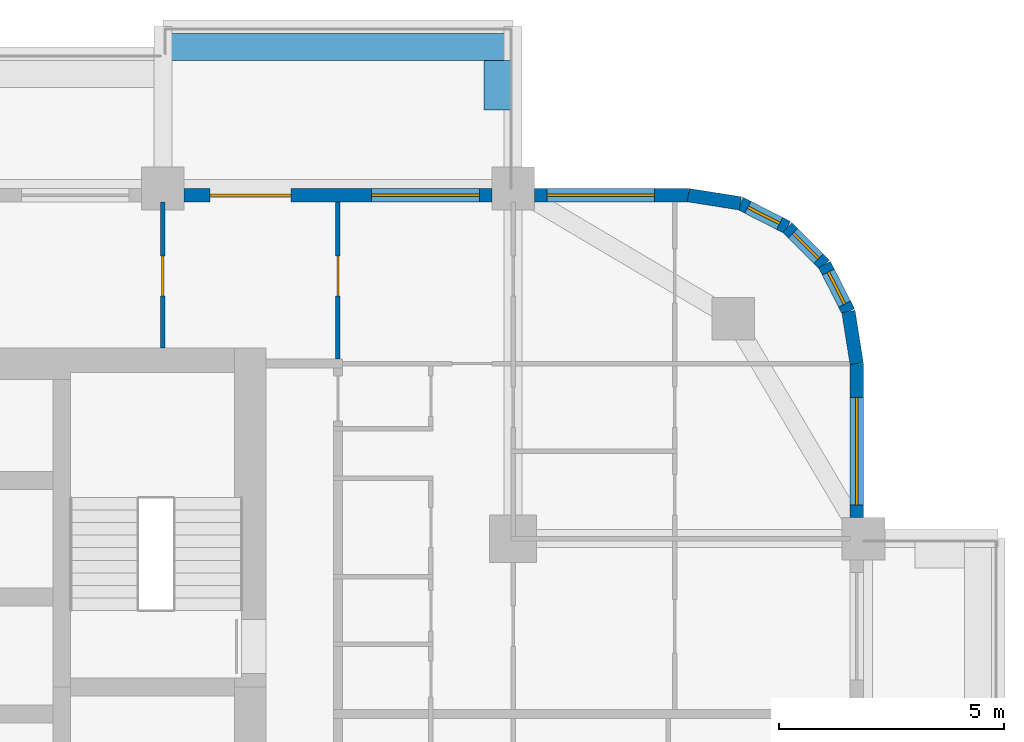
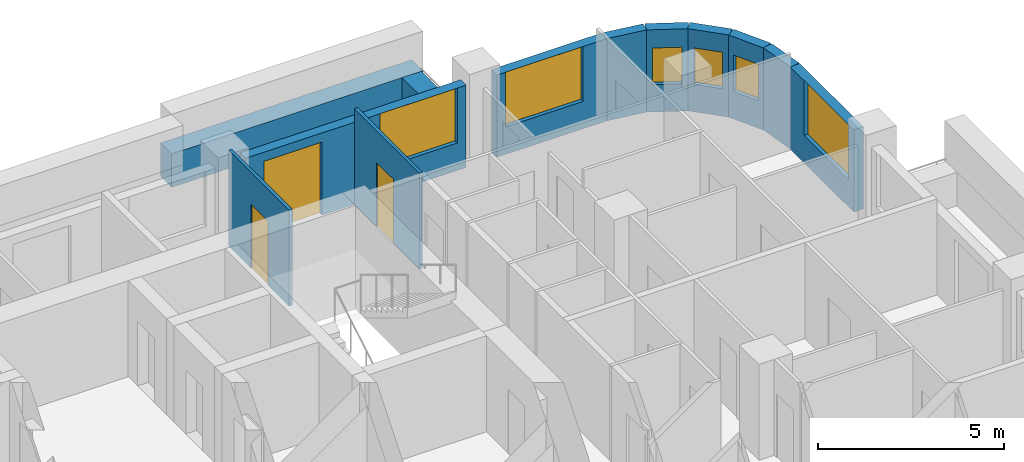
# One storey, part 14 of 18: 12 walls, 6 windows, 3 doors, 9 openings.
"""IFC4 building model written with IfcOpenShell, lengths in metres."""

from ifc_helpers import new_model, si_unit, direction, frame, frame_2d, origin, place, context, subcontext, project, spatial, rectangle, extrude, material, layer, layer_set, type_object, element, fill, save


model = new_model("IFC4")

# Units and contexts
model_context = context("Model", 3, precision=1e-05, world=origin(), true_north=direction((0.0, 1.0)))
body_context = subcontext(model_context, "Body", "Model", "MODEL_VIEW")
ifc_project = project(units=[si_unit("LENGTHUNIT", "METRE"), si_unit("AREAUNIT", "SQUARE_METRE"), si_unit("VOLUMEUNIT", "CUBIC_METRE"), si_unit("PLANEANGLEUNIT", "RADIAN"), si_unit("MASSUNIT", "GRAM", prefix="KILO")], contexts=[model_context])

# Site, building, storey
site_placement = place(None, origin())
site = spatial("IfcSite", under=ifc_project, at=site_placement, CompositionType="ELEMENT")
building_placement = place(site_placement, origin())
building = spatial("IfcBuilding", under=site, at=building_placement, Name="Ludao Terraces", CompositionType="ELEMENT")
storey_placement = place(building_placement, frame((0.0, 0.0, 78.39990234375)))
storey = spatial("IfcBuildingStorey", under=building, at=storey_placement, Name="L21", CompositionType="ELEMENT", Elevation=78.39990234375)

# Walls
ifc_material_1 = material(Name="Concrete C40", Category="concrete")
ifc_layer_1 = layer(ifc_material_1, 0.60009765625)
ifc_layer_set_1 = layer_set([ifc_layer_1], Name="ENV Planter trough 600")
wall_type_1 = type_object("IfcWallType", Name="ENV Planter trough 600", PredefinedType="USERDEFINED", material=ifc_layer_set_1)
wall_1_placement = place(storey_placement, frame((92.800048828125, 91.550048828125, 0.0), z_axis=(0.0, 0.0, 1.0), x_axis=(1.0, 0.0, 0.0)))
element("IfcWall", 1, at=wall_1_placement, inside=storey, type_object=wall_type_1, Name="PL-L21-N4", ObjectType="PLANTER", PredefinedType="USERDEFINED", context=body_context, shape_type="SweptSolid", body=[
    extrude(rectangle(XDim=7.800048828125, YDim=0.60009765625, at=frame_2d((3.89990234375, 0.0))), origin(), (0.0, 0.0, 1.0), 1.10009765625),
])
wall_2_placement = place(storey_placement, frame((100.25, 91.25, 0.0), z_axis=(0.0, 0.0, 1.0), x_axis=(0.0, -1.0, 0.0)))
element("IfcWall", 2, at=wall_2_placement, inside=storey, type_object=wall_type_1, Name="PL-L21-N4-SB", ObjectType="PLANTER", PredefinedType="USERDEFINED", context=body_context, shape_type="SweptSolid", body=[
    extrude(rectangle(XDim=1.10009765625, YDim=0.60009765625, at=frame_2d((0.550048828125, 0.0))), origin(), (0.0, 0.0, 1.0), 1.10009765625),
])

# Wall, opening, window
ifc_material_2 = material(Name="Granite cladding", Category="masonry")
ifc_layer_2 = layer(ifc_material_2, 0.0400390625, Category="stone")
ifc_material_3 = material(Name="Mineral wool")
ifc_layer_3 = layer(ifc_material_3, 0.06005859375)
ifc_layer_4 = layer(ifc_material_1, 0.199951171875, Category="concrete")
ifc_layer_set_2 = layer_set([ifc_layer_2, ifc_layer_3, ifc_layer_4], Name="ENV Stone-clad wall 300")
wall_type_2 = type_object("IfcWallType", Name="ENV Stone-clad wall 300", PredefinedType="SOLIDWALL", material=ifc_layer_set_2)
wall_3_placement = place(storey_placement, frame((108.25, 81.074951171875, 0.0), z_axis=(0.0, 0.0, 1.0), x_axis=(0.0, 1.0, 0.0)))
wall_3 = element("IfcWall", 3, at=wall_3_placement, inside=storey, type_object=wall_type_2, Name="EW-L21-E6", PredefinedType="SOLIDWALL", context=body_context, shape_type="SweptSolid", body=[
    extrude(rectangle(XDim=3.425048828125, YDim=0.300048828125, at=frame_2d((1.71240234375, 0.0))), origin(), (0.0, 0.0, 1.0), 2.7001953125),
])
opening_1_placement = place(wall_3_placement, frame((0.27490234375, 0.0, 0.89990234375)))
opening_1 = element("IfcOpeningElement", 4, at=opening_1_placement, cuts=wall_3, Name="Opening W1", PredefinedType="OPENING", context=body_context, shape_type="SweptSolid", body=[
    extrude(rectangle(XDim=2.39990234375, YDim=1.800048828125, at=frame_2d((1.199951171875, 0.89990234375))), frame((0.0, 0.16015625, 0.0), z_axis=(0.0, -1.0, 0.0), x_axis=(1.0, 0.0, 0.0)), (0.0, 0.0, 1.0), 0.320068359375),
])
ifc_material_4 = material(Name="Clear glass in aluminium frame", Category="aluminium")
ifc_layer_5 = layer(ifc_material_4, 0.06005859375)
ifc_layer_set_3 = layer_set([ifc_layer_5], Name="ENV Window W1 2400x1800")
window_type_1 = type_object("IfcWindowType", Name="ENV Window W1 2400x1800", PartitioningType="DOUBLE_PANEL_VERTICAL", PredefinedType="WINDOW", material=ifc_layer_set_3)
window_1_placement = place(opening_1_placement, origin())
window_1 = element("IfcWindow", 5, at=window_1_placement, inside=storey, type_object=window_type_1, Name="W-L21-E6-1", OverallHeight=1.800048828125, OverallWidth=2.39990234375, PartitioningType="DOUBLE_PANEL_VERTICAL", PredefinedType="WINDOW", context=body_context, shape_type="SweptSolid", body=[
    extrude(rectangle(XDim=2.39990234375, YDim=1.800048828125, at=frame_2d((1.199951171875, 0.89990234375))), frame((0.0, 0.030029296875, 0.0), z_axis=(0.0, -1.0, 0.0), x_axis=(1.0, 0.0, 0.0)), (0.0, 0.0, 1.0), 0.06005859375),
])
fill(opening_1, window_1)

# Wall, openings, door, window
wall_4_placement = place(storey_placement, frame((93.27490234375, 88.25, 0.0), z_axis=(0.0, 0.0, 1.0), x_axis=(1.0, 0.0, 0.0)))
wall_4 = element("IfcWall", 6, at=wall_4_placement, inside=storey, type_object=wall_type_2, Name="EW-L21-N5", PredefinedType="SOLIDWALL", context=body_context, shape_type="SweptSolid", body=[
    extrude(rectangle(XDim=6.85009765625, YDim=0.300048828125, at=frame_2d((3.425048828125, 0.0))), origin(), (0.0, 0.0, 1.0), 2.7001953125),
])
opening_2_placement = place(wall_4_placement, frame((0.574951171875, 0.0, 0.0)))
opening_2 = element("IfcOpeningElement", 7, at=opening_2_placement, cuts=wall_4, Name="Opening BD", PredefinedType="OPENING", context=body_context, shape_type="SweptSolid", body=[
    extrude(rectangle(XDim=1.800048828125, YDim=2.39990234375, at=frame_2d((0.89990234375, 1.199951171875))), frame((0.0, 0.16015625, 0.0), z_axis=(0.0, -1.0, 0.0), x_axis=(1.0, 0.0, 0.0)), (0.0, 0.0, 1.0), 0.320068359375),
])
opening_3_placement = place(wall_4_placement, frame((4.175048828125, 0.0, 0.89990234375)))
opening_3 = element("IfcOpeningElement", 8, at=opening_3_placement, cuts=wall_4, Name="Opening W1", PredefinedType="OPENING", context=body_context, shape_type="SweptSolid", body=[
    extrude(rectangle(XDim=2.39990234375, YDim=1.800048828125, at=frame_2d((1.199951171875, 0.89990234375))), frame((0.0, 0.16015625, 0.0), z_axis=(0.0, -1.0, 0.0), x_axis=(1.0, 0.0, 0.0)), (0.0, 0.0, 1.0), 0.320068359375),
])
ifc_material_5 = material(Name="Aluminium glazed door", Category="aluminium")
ifc_layer_6 = layer(ifc_material_5, 0.06005859375)
ifc_layer_set_4 = layer_set([ifc_layer_6], Name="ENV Balcony door BD 1800x2400")
door_type_1 = type_object("IfcDoorType", Name="ENV Balcony door BD 1800x2400", OperationType="DOUBLE_DOOR_SINGLE_SWING", PredefinedType="DOOR", material=ifc_layer_set_4)
door_1_placement = place(opening_2_placement, origin())
door_1 = element("IfcDoor", 9, at=door_1_placement, inside=storey, type_object=door_type_1, Name="BD-L21-N5-1", OperationType="DOUBLE_DOOR_SINGLE_SWING", OverallHeight=2.39990234375, OverallWidth=1.800048828125, PredefinedType="DOOR", context=body_context, shape_type="SweptSolid", body=[
    extrude(rectangle(XDim=1.800048828125, YDim=2.39990234375, at=frame_2d((0.89990234375, 1.199951171875))), frame((0.0, 0.02490234375, 0.0), z_axis=(0.0, -1.0, 0.0), x_axis=(1.0, 0.0, 0.0)), (0.0, 0.0, 1.0), 0.050048828125),
])
fill(opening_2, door_1)
window_2_placement = place(opening_3_placement, origin())
window_2 = element("IfcWindow", 10, at=window_2_placement, inside=storey, type_object=window_type_1, Name="W-L21-N5-2", OverallHeight=1.800048828125, OverallWidth=2.39990234375, PartitioningType="DOUBLE_PANEL_VERTICAL", PredefinedType="WINDOW", context=body_context, shape_type="SweptSolid", body=[
    extrude(rectangle(XDim=2.39990234375, YDim=1.800048828125, at=frame_2d((1.199951171875, 0.89990234375))), frame((0.0, 0.030029296875, 0.0), z_axis=(0.0, -1.0, 0.0), x_axis=(1.0, 0.0, 0.0)), (0.0, 0.0, 1.0), 0.06005859375),
])
fill(opening_3, window_2)

# Wall, opening, window
wall_5_placement = place(storey_placement, frame((101.074951171875, 88.25, 0.0), z_axis=(0.0, 0.0, 1.0), x_axis=(1.0, 0.0, 0.0)))
wall_5 = element("IfcWall", 11, at=wall_5_placement, inside=storey, type_object=wall_type_2, Name="EW-L21-N6", PredefinedType="SOLIDWALL", context=body_context, shape_type="SweptSolid", body=[
    extrude(rectangle(XDim=3.425048828125, YDim=0.300048828125, at=frame_2d((1.71240234375, 0.0))), origin(), (0.0, 0.0, 1.0), 2.7001953125),
])
opening_4_placement = place(wall_5_placement, frame((0.27490234375, 0.0, 0.89990234375)))
opening_4 = element("IfcOpeningElement", 12, at=opening_4_placement, cuts=wall_5, Name="Opening W1", PredefinedType="OPENING", context=body_context, shape_type="SweptSolid", body=[
    extrude(rectangle(XDim=2.39990234375, YDim=1.800048828125, at=frame_2d((1.199951171875, 0.89990234375))), frame((0.0, 0.16015625, 0.0), z_axis=(0.0, -1.0, 0.0), x_axis=(1.0, 0.0, 0.0)), (0.0, 0.0, 1.0), 0.320068359375),
])
window_3_placement = place(opening_4_placement, origin())
window_3 = element("IfcWindow", 13, at=window_3_placement, inside=storey, type_object=window_type_1, Name="W-L21-N6-1", OverallHeight=1.800048828125, OverallWidth=2.39990234375, PartitioningType="DOUBLE_PANEL_VERTICAL", PredefinedType="WINDOW", context=body_context, shape_type="SweptSolid", body=[
    extrude(rectangle(XDim=2.39990234375, YDim=1.800048828125, at=frame_2d((1.199951171875, 0.89990234375))), frame((0.0, 0.030029296875, 0.0), z_axis=(0.0, -1.0, 0.0), x_axis=(1.0, 0.0, 0.0)), (0.0, 0.0, 1.0), 0.06005859375),
])
fill(opening_4, window_3)

# Wall
wall_6_placement = place(storey_placement, frame((108.25, 84.5, 0.0), z_axis=(0.0, 0.0, 1.0), x_axis=(-0.156496880861, 0.987678452879, 0.0)))
element("IfcWall", 14, at=wall_6_placement, inside=storey, type_object=wall_type_2, Name="EW-L21-NE1", PredefinedType="SOLIDWALL", context=body_context, shape_type="SweptSolid", body=[
    extrude(rectangle(XDim=1.173095703125, YDim=0.300048828125, at=frame_2d((0.58642578125, 0.0))), origin(), (0.0, 0.0, 1.0), 2.7001953125),
])

# Wall, opening, window
wall_7_placement = place(storey_placement, frame((108.06640625, 85.65869140625, 0.0), z_axis=(0.0, 0.0, 1.0), x_axis=(-0.454025524128, 0.890988677504, 0.0)))
wall_7 = element("IfcWall", 15, at=wall_7_placement, inside=storey, type_object=wall_type_2, Name="EW-L21-NE2", PredefinedType="SOLIDWALL", context=body_context, shape_type="SweptSolid", body=[
    extrude(rectangle(XDim=1.17333984375, YDim=0.300048828125, at=frame_2d((0.586669921875, 0.0))), origin(), (0.0, 0.0, 1.0), 2.7001953125),
])
opening_5_placement = place(wall_7_placement, frame((0.1865234375, 0.0, 0.89990234375)))
opening_5 = element("IfcOpeningElement", 16, at=opening_5_placement, cuts=wall_7, Name="Opening W3", PredefinedType="OPENING", context=body_context, shape_type="SweptSolid", body=[
    extrude(rectangle(XDim=0.800048828125, YDim=1.199951171875, at=frame_2d((0.39990234375, 0.60009765625))), frame((0.0, 0.16015625, 0.0), z_axis=(0.0, -1.0, 0.0), x_axis=(1.0, 0.0, 0.0)), (0.0, 0.0, 1.0), 0.320068359375),
])
ifc_layer_7 = layer(ifc_material_4, 0.06005859375)
ifc_layer_set_5 = layer_set([ifc_layer_7], Name="ENV Window W3 800x1200")
window_type_2 = type_object("IfcWindowType", Name="ENV Window W3 800x1200", PartitioningType="SINGLE_PANEL", PredefinedType="WINDOW", material=ifc_layer_set_5)
window_4_placement = place(opening_5_placement, origin())
window_4 = element("IfcWindow", 17, at=window_4_placement, inside=storey, type_object=window_type_2, Name="W-L21-NE2", OverallHeight=1.199951171875, OverallWidth=0.800048828125, PartitioningType="SINGLE_PANEL", PredefinedType="WINDOW", context=body_context, shape_type="SweptSolid", body=[
    extrude(rectangle(XDim=0.800048828125, YDim=1.199951171875, at=frame_2d((0.39990234375, 0.60009765625))), frame((0.0, 0.030029296875, 0.0), z_axis=(0.0, -1.0, 0.0), x_axis=(1.0, 0.0, 0.0)), (0.0, 0.0, 1.0), 0.06005859375),
])
fill(opening_5, window_4)

wall_8_placement = place(storey_placement, frame((107.53369140625, 86.7041015625, 0.0), z_axis=(0.0, 0.0, 1.0), x_axis=(-0.707106781187, 0.707106781187, 0.0)))
wall_8 = element("IfcWall", 18, at=wall_8_placement, inside=storey, type_object=wall_type_2, Name="EW-L21-NE3", PredefinedType="SOLIDWALL", context=body_context, shape_type="SweptSolid", body=[
    extrude(rectangle(XDim=1.173095703125, YDim=0.300048828125, at=frame_2d((0.58642578125, 0.0))), origin(), (0.0, 0.0, 1.0), 2.7001953125),
])
opening_6_placement = place(wall_8_placement, frame((0.1865234375, 0.0, 0.89990234375)))
opening_6 = element("IfcOpeningElement", 19, at=opening_6_placement, cuts=wall_8, Name="Opening W3", PredefinedType="OPENING", context=body_context, shape_type="SweptSolid", body=[
    extrude(rectangle(XDim=0.800048828125, YDim=1.199951171875, at=frame_2d((0.39990234375, 0.60009765625))), frame((0.0, 0.16015625, 0.0), z_axis=(0.0, -1.0, 0.0), x_axis=(1.0, 0.0, 0.0)), (0.0, 0.0, 1.0), 0.320068359375),
])
window_5_placement = place(opening_6_placement, origin())
window_5 = element("IfcWindow", 20, at=window_5_placement, inside=storey, type_object=window_type_2, Name="W-L21-NE3", OverallHeight=1.199951171875, OverallWidth=0.800048828125, PartitioningType="SINGLE_PANEL", PredefinedType="WINDOW", context=body_context, shape_type="SweptSolid", body=[
    extrude(rectangle(XDim=0.800048828125, YDim=1.199951171875, at=frame_2d((0.39990234375, 0.60009765625))), frame((0.0, 0.030029296875, 0.0), z_axis=(0.0, -1.0, 0.0), x_axis=(1.0, 0.0, 0.0)), (0.0, 0.0, 1.0), 0.06005859375),
])
fill(opening_6, window_5)

wall_9_placement = place(storey_placement, frame((106.7041015625, 87.53369140625, 0.0), z_axis=(0.0, 0.0, 1.0), x_axis=(-0.890988677504, 0.454025524128, 0.0)))
wall_9 = element("IfcWall", 21, at=wall_9_placement, inside=storey, type_object=wall_type_2, Name="EW-L21-NE4", PredefinedType="SOLIDWALL", context=body_context, shape_type="SweptSolid", body=[
    extrude(rectangle(XDim=1.17333984375, YDim=0.300048828125, at=frame_2d((0.586669921875, 0.0))), origin(), (0.0, 0.0, 1.0), 2.7001953125),
])
opening_7_placement = place(wall_9_placement, frame((0.1865234375, 0.0, 0.89990234375)))
opening_7 = element("IfcOpeningElement", 22, at=opening_7_placement, cuts=wall_9, Name="Opening W3", PredefinedType="OPENING", context=body_context, shape_type="SweptSolid", body=[
    extrude(rectangle(XDim=0.800048828125, YDim=1.199951171875, at=frame_2d((0.39990234375, 0.60009765625))), frame((0.0, 0.16015625, 0.0), z_axis=(0.0, -1.0, 0.0), x_axis=(1.0, 0.0, 0.0)), (0.0, 0.0, 1.0), 0.320068359375),
])
window_6_placement = place(opening_7_placement, origin())
window_6 = element("IfcWindow", 23, at=window_6_placement, inside=storey, type_object=window_type_2, Name="W-L21-NE4", OverallHeight=1.199951171875, OverallWidth=0.800048828125, PartitioningType="SINGLE_PANEL", PredefinedType="WINDOW", context=body_context, shape_type="SweptSolid", body=[
    extrude(rectangle(XDim=0.800048828125, YDim=1.199951171875, at=frame_2d((0.39990234375, 0.60009765625))), frame((0.0, 0.030029296875, 0.0), z_axis=(0.0, -1.0, 0.0), x_axis=(1.0, 0.0, 0.0)), (0.0, 0.0, 1.0), 0.06005859375),
])
fill(opening_7, window_6)

# Wall
wall_10_placement = place(storey_placement, frame((105.65869140625, 88.06640625, 0.0), z_axis=(0.0, 0.0, 1.0), x_axis=(-0.987678452879, 0.156496880861, 0.0)))
element("IfcWall", 24, at=wall_10_placement, inside=storey, type_object=wall_type_2, Name="EW-L21-NE5", PredefinedType="SOLIDWALL", context=body_context, shape_type="SweptSolid", body=[
    extrude(rectangle(XDim=1.173095703125, YDim=0.300048828125, at=frame_2d((0.58642578125, 0.0))), origin(), (0.0, 0.0, 1.0), 2.7001953125),
])

# Wall, opening, door
ifc_material_6 = material(Name="Gypsum plasterboard", Category="gypsum")
ifc_layer_8 = layer(ifc_material_6, 0.012451171875, Category="gypsum")
ifc_layer_9 = layer(ifc_material_3, 0.06005859375, Name="insulation")
ifc_material_7 = material(Name="Steel Q235", Category="steel")
ifc_layer_10 = layer(ifc_material_7, 0.014892578125, Name="stud")
ifc_layer_11 = layer(ifc_material_6, 0.012451171875, Category="gypsum")
ifc_layer_set_6 = layer_set([ifc_layer_8, ifc_layer_9, ifc_layer_10, ifc_layer_11], Name="INT Partition 100")
wall_type_3 = type_object("IfcWallType", Name="INT Partition 100", PredefinedType="PARTITIONING", material=ifc_layer_set_6)
wall_11_placement = place(storey_placement, frame((92.800048828125, 84.85009765625, 0.0), z_axis=(0.0, 0.0, 1.0), x_axis=(0.0, 1.0, 0.0)))
wall_11 = element("IfcWall", 25, at=wall_11_placement, inside=storey, type_object=wall_type_3, Name="PW-L21-PW111", PredefinedType="PARTITIONING", context=body_context, shape_type="SweptSolid", body=[
    extrude(rectangle(XDim=3.25, YDim=0.10009765625, at=frame_2d((1.625, 0.0))), origin(), (0.0, 0.0, 1.0), 3.150146484375),
])
opening_8_placement = place(wall_11_placement, frame((1.14990234375, 0.0, 0.0)))
opening_8 = element("IfcOpeningElement", 26, at=opening_8_placement, cuts=wall_11, Name="Opening R06-163", PredefinedType="OPENING", context=body_context, shape_type="SweptSolid", body=[
    extrude(rectangle(XDim=0.89990234375, YDim=2.10009765625, at=frame_2d((0.449951171875, 1.050048828125))), frame((0.0, 0.06005859375, 0.0), z_axis=(0.0, -1.0, 0.0), x_axis=(1.0, 0.0, 0.0)), (0.0, 0.0, 1.0), 0.1201171875),
])
ifc_material_8 = material(Name="Timber door leaf", Category="wood")
door_type_2 = type_object("IfcDoorType", Name="INT Room door 900", OperationType="SINGLE_SWING_LEFT", PredefinedType="DOOR", material=ifc_material_8)
door_2_placement = place(opening_8_placement, origin())
door_2 = element("IfcDoor", 27, at=door_2_placement, inside=storey, type_object=door_type_2, Name="DOOR 163", OperationType="SINGLE_SWING_LEFT", OverallHeight=2.10009765625, OverallWidth=0.89990234375, PredefinedType="DOOR", context=body_context, shape_type="SweptSolid", body=[
    extrude(rectangle(XDim=0.89990234375, YDim=2.10009765625, at=frame_2d((0.449951171875, 1.050048828125))), frame((0.0, 0.02490234375, 0.0), z_axis=(0.0, -1.0, 0.0), x_axis=(1.0, 0.0, 0.0)), (0.0, 0.0, 1.0), 0.050048828125),
])
fill(opening_8, door_2)

wall_12_placement = place(storey_placement, frame((96.699951171875, 84.60009765625, 0.0), z_axis=(0.0, 0.0, 1.0), x_axis=(0.0, 1.0, 0.0)))
wall_12 = element("IfcWall", 28, at=wall_12_placement, inside=storey, type_object=wall_type_3, Name="PW-L21-PW117", PredefinedType="PARTITIONING", context=body_context, shape_type="SweptSolid", body=[
    extrude(rectangle(XDim=3.5, YDim=0.10009765625, at=frame_2d((1.75, 0.0))), origin(), (0.0, 0.0, 1.0), 3.150146484375),
])
opening_9_placement = place(wall_12_placement, frame((1.39990234375, 0.0, 0.0)))
opening_9 = element("IfcOpeningElement", 29, at=opening_9_placement, cuts=wall_12, Name="Opening R06-164", PredefinedType="OPENING", context=body_context, shape_type="SweptSolid", body=[
    extrude(rectangle(XDim=0.89990234375, YDim=2.10009765625, at=frame_2d((0.449951171875, 1.050048828125))), frame((0.0, 0.06005859375, 0.0), z_axis=(0.0, -1.0, 0.0), x_axis=(1.0, 0.0, 0.0)), (0.0, 0.0, 1.0), 0.1201171875),
])
door_3_placement = place(opening_9_placement, origin())
door_3 = element("IfcDoor", 30, at=door_3_placement, inside=storey, type_object=door_type_2, Name="DOOR 164", OperationType="SINGLE_SWING_RIGHT", OverallHeight=2.10009765625, OverallWidth=0.89990234375, PredefinedType="DOOR", context=body_context, shape_type="SweptSolid", body=[
    extrude(rectangle(XDim=0.89990234375, YDim=2.10009765625, at=frame_2d((0.449951171875, 1.050048828125))), frame((0.0, 0.02490234375, 0.0), z_axis=(0.0, -1.0, 0.0), x_axis=(1.0, 0.0, 0.0)), (0.0, 0.0, 1.0), 0.050048828125),
])
fill(opening_9, door_3)

save(model, "model.ifc")
